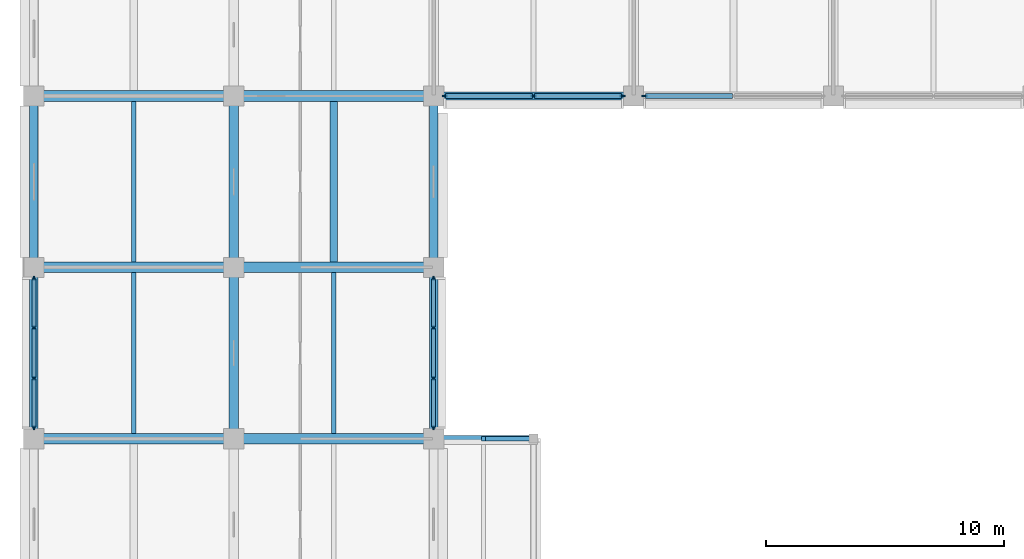
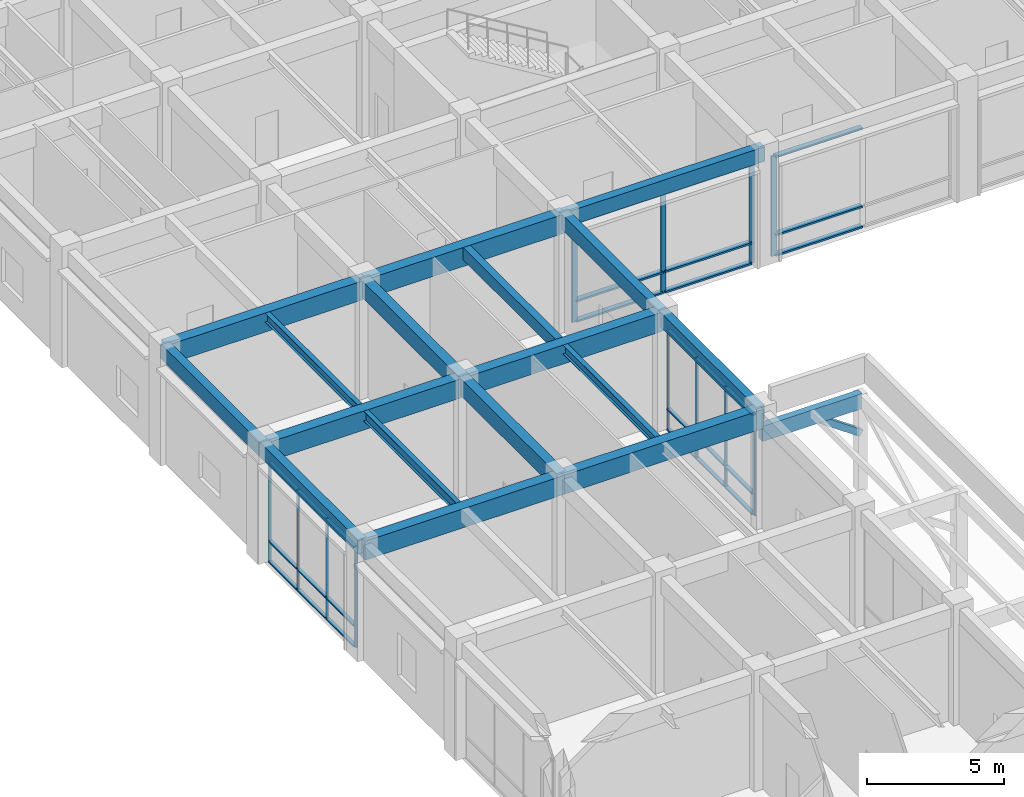
# One storey, part 9 of 68: 40 members, 18 beams, 4 elements without a shape of their own.
"""IFC4 building model written with IfcOpenShell, lengths in metres."""

from ifc_helpers import new_model, si_unit, direction, frame, origin, origin_2d, place, context, subcontext, project, spatial, rectangle, i_section, extrude, material, layer, layer_set, material_profile, profile_set, type_object, element, aggregate, save


model = new_model("IFC4")

# Units and contexts
model_context = context("Model", 3, precision=1e-05, world=origin(), true_north=direction((0.0, 1.0)))
body_context = subcontext(model_context, "Body", "Model", "MODEL_VIEW")
ifc_project = project(units=[si_unit("LENGTHUNIT", "METRE"), si_unit("AREAUNIT", "SQUARE_METRE"), si_unit("VOLUMEUNIT", "CUBIC_METRE"), si_unit("PLANEANGLEUNIT", "RADIAN"), si_unit("MASSUNIT", "GRAM", prefix="KILO")], contexts=[model_context])

# Site, building, storey
site_placement = place(None, origin())
site = spatial("IfcSite", under=ifc_project, at=site_placement, CompositionType="ELEMENT")
building_placement = place(site_placement, origin())
building = spatial("IfcBuilding", under=site, at=building_placement, Name="Chengyuan Square Courthouse", CompositionType="ELEMENT")
storey_placement = place(building_placement, frame((0.0, 0.0, 5.39990234375)))
storey = spatial("IfcBuildingStorey", under=building, at=storey_placement, Name="L02", CompositionType="ELEMENT", Elevation=5.39990234375)

# Beams
ifc_material_1 = material(Name="Concrete C40", Category="concrete")
ifc_material_profile_1 = material_profile(ifc_material_1, rectangle(XDim=0.449951171875, YDim=0.85009765625, at=origin_2d()), Name="RC-BM-450x850")
ifc_profile_set_1 = profile_set([ifc_material_profile_1], Name="Concrete C40")
beam_type_1 = type_object("IfcBeamType", Name="BM-01", PredefinedType="USERDEFINED", material=ifc_profile_set_1)
beam_1_placement = place(storey_placement, frame((0.0, 64.800048828125, 4.695068359375), z_axis=(1.0, 0.0, 0.0), x_axis=(0.0, 1.0, 0.0)))
element("IfcBeam", 1, at=beam_1_placement, inside=storey, type_object=beam_type_1, Name="Girder BM-L02-2107", ObjectType="GIRDER", PredefinedType="USERDEFINED", context=body_context, shape_type="SweptSolid", body=[
    extrude(rectangle(XDim=0.449951171875, YDim=0.85009765625, at=origin_2d()), origin(), (0.0, 0.0, 1.0), 8.39990234375),
])
beam_2_placement = place(storey_placement, frame((8.39990234375, 64.800048828125, 4.695068359375), z_axis=(1.0, 0.0, 0.0), x_axis=(0.0, 1.0, 0.0)))
element("IfcBeam", 2, at=beam_2_placement, inside=storey, type_object=beam_type_1, Name="Girder BM-L02-2108", ObjectType="GIRDER", PredefinedType="USERDEFINED", context=body_context, shape_type="SweptSolid", body=[
    extrude(rectangle(XDim=0.449951171875, YDim=0.85009765625, at=origin_2d()), origin(), (0.0, 0.0, 1.0), 8.400146484375),
])
beam_3_placement = place(storey_placement, frame((0.0, 72.0, 4.695068359375), z_axis=(1.0, 0.0, 0.0), x_axis=(0.0, 1.0, 0.0)))
element("IfcBeam", 3, at=beam_3_placement, inside=storey, type_object=beam_type_1, Name="Girder BM-L02-2115", ObjectType="GIRDER", PredefinedType="USERDEFINED", context=body_context, shape_type="SweptSolid", body=[
    extrude(rectangle(XDim=0.449951171875, YDim=0.85009765625, at=origin_2d()), origin(), (0.0, 0.0, 1.0), 8.39990234375),
])
beam_4_placement = place(storey_placement, frame((8.39990234375, 72.0, 4.695068359375), z_axis=(1.0, 0.0, 0.0), x_axis=(0.0, 1.0, 0.0)))
element("IfcBeam", 4, at=beam_4_placement, inside=storey, type_object=beam_type_1, Name="Girder BM-L02-2116", ObjectType="GIRDER", PredefinedType="USERDEFINED", context=body_context, shape_type="SweptSolid", body=[
    extrude(rectangle(XDim=0.449951171875, YDim=0.85009765625, at=origin_2d()), origin(), (0.0, 0.0, 1.0), 8.400146484375),
])
beam_5_placement = place(storey_placement, frame((0.0, 79.199951171875, 4.695068359375), z_axis=(1.0, 0.0, 0.0), x_axis=(0.0, 1.0, 0.0)))
element("IfcBeam", 5, at=beam_5_placement, inside=storey, type_object=beam_type_1, Name="Girder BM-L02-2119", ObjectType="GIRDER", PredefinedType="USERDEFINED", context=body_context, shape_type="SweptSolid", body=[
    extrude(rectangle(XDim=0.449951171875, YDim=0.85009765625, at=origin_2d()), origin(), (0.0, 0.0, 1.0), 8.39990234375),
])
beam_6_placement = place(storey_placement, frame((8.39990234375, 79.199951171875, 4.695068359375), z_axis=(1.0, 0.0, 0.0), x_axis=(0.0, 1.0, 0.0)))
element("IfcBeam", 6, at=beam_6_placement, inside=storey, type_object=beam_type_1, Name="Girder BM-L02-2120", ObjectType="GIRDER", PredefinedType="USERDEFINED", context=body_context, shape_type="SweptSolid", body=[
    extrude(rectangle(XDim=0.449951171875, YDim=0.85009765625, at=origin_2d()), origin(), (0.0, 0.0, 1.0), 8.400146484375),
])
ifc_material_profile_2 = material_profile(ifc_material_1, rectangle(XDim=0.39990234375, YDim=0.75, at=origin_2d()), Name="RC-BM-400x750")
ifc_profile_set_2 = profile_set([ifc_material_profile_2], Name="Concrete C40")
beam_type_2 = type_object("IfcBeamType", Name="BM-02", PredefinedType="USERDEFINED", material=ifc_profile_set_2)
for number, where, z_axis, x_axis, name in (
    (7, (8.39990234375, 64.800048828125, 4.7451171875), (0.0, 1.0, 0.0), (-1.0, 0.0, 0.0), "Girder BM-L02-2251"),
    (8, (8.39990234375, 72.0, 4.7451171875), (0.0, 1.0, 0.0), (-1.0, 0.0, 0.0), "Girder BM-L02-2252"),
):
    element("IfcBeam", number, at=place(storey_placement, frame(where, z_axis=z_axis, x_axis=x_axis)), inside=storey, type_object=beam_type_2, Name=name, ObjectType="GIRDER", PredefinedType="USERDEFINED", context=body_context, shape_type="SweptSolid", body=[
        extrude(rectangle(XDim=0.39990234375, YDim=0.75, at=origin_2d()), origin(), (0.0, 0.0, 1.0), 7.199951171875),
    ])
ifc_material_profile_3 = material_profile(ifc_material_1, rectangle(XDim=0.35009765625, YDim=0.64990234375, at=origin_2d()), Name="RC-BM-350x650")
ifc_profile_set_3 = profile_set([ifc_material_profile_3], Name="Concrete C40")
beam_type_3 = type_object("IfcBeamType", Name="BM-03", PredefinedType="SPANDREL", material=ifc_profile_set_3)
beam_7_placement = place(storey_placement, frame((16.800048828125, 79.199951171875, 4.795166015625), z_axis=(1.0, 0.0, 0.0), x_axis=(0.0, 1.0, 0.0)))
element("IfcBeam", 9, at=beam_7_placement, inside=storey, type_object=beam_type_3, Name="Girder BM-L02-2121", PredefinedType="SPANDREL", context=body_context, shape_type="SweptSolid", body=[
    extrude(rectangle(XDim=0.35009765625, YDim=0.64990234375, at=origin_2d()), origin(), (0.0, 0.0, 1.0), 8.39990234375),
])
for number, where, z_axis, x_axis, name in (
    (10, (0.0, 64.800048828125, 4.795166015625), (0.0, 1.0, 0.0), (-1.0, 0.0, 0.0), "Girder BM-L02-2236"),
    (11, (0.0, 72.0, 4.795166015625), (0.0, 1.0, 0.0), (-1.0, 0.0, 0.0), "Girder BM-L02-2237"),
    (12, (16.800048828125, 64.800048828125, 4.795166015625), (0.0, 1.0, 0.0), (-1.0, 0.0, 0.0), "Girder BM-L02-2266"),
    (13, (16.800048828125, 72.0, 4.795166015625), (0.0, 1.0, 0.0), (-1.0, 0.0, 0.0), "Girder BM-L02-2267"),
):
    element("IfcBeam", number, at=place(storey_placement, frame(where, z_axis=z_axis, x_axis=x_axis)), inside=storey, type_object=beam_type_3, Name=name, PredefinedType="SPANDREL", context=body_context, shape_type="SweptSolid", body=[
        extrude(rectangle(XDim=0.35009765625, YDim=0.64990234375, at=origin_2d()), origin(), (0.0, 0.0, 1.0), 7.199951171875),
    ])
ifc_material_profile_4 = material_profile(ifc_material_1, rectangle(XDim=0.300048828125, YDim=0.550048828125, at=origin_2d()), Name="RC-BM-300x550")
ifc_profile_set_4 = profile_set([ifc_material_profile_4], Name="Concrete C40")
beam_type_4 = type_object("IfcBeamType", Name="BM-04", PredefinedType="BEAM", material=ifc_profile_set_4)
beam_8_placement = place(storey_placement, frame((12.60009765625, 72.22509765625, 4.84521484375), z_axis=(0.0, 1.0, 0.0), x_axis=(-1.0, 0.0, 0.0)))
element("IfcBeam", 14, at=beam_8_placement, inside=storey, type_object=beam_type_4, Name="Secondary Floor Beam SBM-L02-2414", PredefinedType="BEAM", context=body_context, shape_type="SweptSolid", body=[
    extrude(rectangle(XDim=0.300048828125, YDim=0.550048828125, at=origin_2d()), origin(), (0.0, 0.0, 1.0), 6.75),
])
ifc_material_2 = material(Name="Steel Q355B", Category="steel")
ifc_material_profile_5 = material_profile(ifc_material_2, i_section(OverallWidth=0.199951171875, OverallDepth=0.449951171875, WebThickness=0.009033203125, FlangeThickness=0.013916015625, at=origin_2d()), Name="HN 450x200x9x14")
ifc_profile_set_5 = profile_set([ifc_material_profile_5], Name="Steel Q355B")
beam_type_5 = type_object("IfcBeamType", Name="BM-06", PredefinedType="BEAM", material=ifc_profile_set_5)
beam_9_placement = place(storey_placement, frame((4.199951171875, 65.02490234375, 4.89501953125), z_axis=(0.0, 1.0, 0.0), x_axis=(-1.0, 0.0, 0.0)))
element("IfcBeam", 15, at=beam_9_placement, inside=storey, type_object=beam_type_5, Name="Secondary Floor Beam SBM-L02-2399", PredefinedType="BEAM", context=body_context, shape_type="SweptSolid", body=[
    extrude(i_section(OverallWidth=0.199951171875, OverallDepth=0.449951171875, WebThickness=0.009033203125, FlangeThickness=0.013916015625, at=origin_2d()), origin(), (0.0, 0.0, 1.0), 6.75),
])
ifc_material_profile_6 = material_profile(ifc_material_2, i_section(OverallWidth=0.199951171875, OverallDepth=0.39990234375, WebThickness=0.008056640625, FlangeThickness=0.012939453125, at=origin_2d()), Name="HN 400x200x8x13")
ifc_profile_set_6 = profile_set([ifc_material_profile_6], Name="Steel Q355B")
beam_type_6 = type_object("IfcBeamType", Name="BM-07", PredefinedType="BEAM", material=ifc_profile_set_6)
for number, where, z_axis, x_axis, name in (
    (16, (4.199951171875, 72.22509765625, 4.920166015625), (0.0, 1.0, 0.0), (-1.0, 0.0, 0.0), "Secondary Floor Beam SBM-L02-2400"),
    (17, (12.60009765625, 65.02490234375, 4.920166015625), (0.0, 1.0, 0.0), (-1.0, 0.0, 0.0), "Secondary Floor Beam SBM-L02-2413"),
):
    element("IfcBeam", number, at=place(storey_placement, frame(where, z_axis=z_axis, x_axis=x_axis)), inside=storey, type_object=beam_type_6, Name=name, PredefinedType="BEAM", context=body_context, shape_type="SweptSolid", body=[
        extrude(i_section(OverallWidth=0.199951171875, OverallDepth=0.39990234375, WebThickness=0.008056640625, FlangeThickness=0.012939453125, at=origin_2d()), origin(), (0.0, 0.0, 1.0), 6.75),
    ])

# Curtain wall, members
ifc_material_3 = material(Name="Unitised Aluminium and Triple Low-E Glass", Category="aluminium")
ifc_layer_1 = layer(ifc_material_3, 0.159912109375)
ifc_layer_set_1 = layer_set([ifc_layer_1], Name="Unitised Aluminium and Triple Low-E Glass")
curtain_wall_type_1 = type_object("IfcCurtainWallType", Name="CW-17", PredefinedType="USERDEFINED", material=ifc_layer_set_1)
curtain_wall_1_placement = place(storey_placement, origin())
curtain_wall_1 = element("IfcCurtainWall", 18, at=curtain_wall_1_placement, inside=storey, type_object=curtain_wall_type_1, Name="Unitised Curtain Wall CW-L02-048", ObjectType="UNITISED CURTAIN WALL", PredefinedType="USERDEFINED")
ifc_material_4 = material(Name="Aluminium 6063-T6 Frame", Category="aluminium")
ifc_material_profile_7 = material_profile(ifc_material_4, rectangle(XDim=0.06005859375, YDim=0.159912109375, at=origin_2d()), Name="CW-MUL-60x160")
ifc_profile_set_7 = profile_set([ifc_material_profile_7], Name="Aluminium 6063-T6 Frame")
member_type_1 = type_object("IfcMemberType", Name="CWM-01", PredefinedType="MULLION", material=ifc_profile_set_7)
member_1_placement = place(storey_placement, frame((0.0, 65.2548828125, 0.0), z_axis=(0.0, 0.0, 1.0), x_axis=(-1.0, 0.0, 0.0)))
member_1 = element("IfcMember", 19, at=member_1_placement, type_object=member_type_1, Name="CW-17 mullion 1", PredefinedType="MULLION", context=body_context, shape_type="SweptSolid", body=[
    extrude(rectangle(XDim=0.06005859375, YDim=0.159912109375, at=origin_2d()), origin(), (0.0, 0.0, 1.0), 4.47021484375),
])
member_2_placement = place(storey_placement, frame((0.0, 67.341552734375, 0.0), z_axis=(0.0, 0.0, 1.0), x_axis=(-1.0, 0.0, 0.0)))
member_2 = element("IfcMember", 20, at=member_2_placement, type_object=member_type_1, Name="CW-17 mullion 2", PredefinedType="MULLION", context=body_context, shape_type="SweptSolid", body=[
    extrude(rectangle(XDim=0.06005859375, YDim=0.159912109375, at=origin_2d()), origin(), (0.0, 0.0, 1.0), 4.47021484375),
])
member_3_placement = place(storey_placement, frame((0.0, 69.458251953125, 0.0), z_axis=(0.0, 0.0, 1.0), x_axis=(-1.0, 0.0, 0.0)))
member_3 = element("IfcMember", 21, at=member_3_placement, type_object=member_type_1, Name="CW-17 mullion 3", PredefinedType="MULLION", context=body_context, shape_type="SweptSolid", body=[
    extrude(rectangle(XDim=0.06005859375, YDim=0.159912109375, at=origin_2d()), origin(), (0.0, 0.0, 1.0), 4.47021484375),
])
member_4_placement = place(storey_placement, frame((0.0, 71.544921875, 0.0), z_axis=(0.0, 0.0, 1.0), x_axis=(-1.0, 0.0, 0.0)))
member_4 = element("IfcMember", 22, at=member_4_placement, type_object=member_type_1, Name="CW-17 mullion 4", PredefinedType="MULLION", context=body_context, shape_type="SweptSolid", body=[
    extrude(rectangle(XDim=0.06005859375, YDim=0.159912109375, at=origin_2d()), origin(), (0.0, 0.0, 1.0), 4.47021484375),
])

curtain_wall_2_placement = place(storey_placement, origin())
curtain_wall_2 = element("IfcCurtainWall", 23, at=curtain_wall_2_placement, inside=storey, type_object=curtain_wall_type_1, Name="Unitised Curtain Wall CW-L02-053", ObjectType="UNITISED CURTAIN WALL", PredefinedType="USERDEFINED")
member_5_placement = place(storey_placement, frame((16.800048828125, 65.2548828125, 0.0), z_axis=(0.0, 0.0, 1.0), x_axis=(-1.0, 0.0, 0.0)))
member_5 = element("IfcMember", 24, at=member_5_placement, type_object=member_type_1, Name="CW-17 mullion 1", PredefinedType="MULLION", context=body_context, shape_type="SweptSolid", body=[
    extrude(rectangle(XDim=0.06005859375, YDim=0.159912109375, at=origin_2d()), origin(), (0.0, 0.0, 1.0), 4.47021484375),
])
member_6_placement = place(storey_placement, frame((16.800048828125, 67.341552734375, 0.0), z_axis=(0.0, 0.0, 1.0), x_axis=(-1.0, 0.0, 0.0)))
member_6 = element("IfcMember", 25, at=member_6_placement, type_object=member_type_1, Name="CW-17 mullion 2", PredefinedType="MULLION", context=body_context, shape_type="SweptSolid", body=[
    extrude(rectangle(XDim=0.06005859375, YDim=0.159912109375, at=origin_2d()), origin(), (0.0, 0.0, 1.0), 4.47021484375),
])
member_7_placement = place(storey_placement, frame((16.800048828125, 69.458251953125, 0.0), z_axis=(0.0, 0.0, 1.0), x_axis=(-1.0, 0.0, 0.0)))
member_7 = element("IfcMember", 26, at=member_7_placement, type_object=member_type_1, Name="CW-17 mullion 3", PredefinedType="MULLION", context=body_context, shape_type="SweptSolid", body=[
    extrude(rectangle(XDim=0.06005859375, YDim=0.159912109375, at=origin_2d()), origin(), (0.0, 0.0, 1.0), 4.47021484375),
])
member_8_placement = place(storey_placement, frame((16.800048828125, 71.544921875, 0.0), z_axis=(0.0, 0.0, 1.0), x_axis=(-1.0, 0.0, 0.0)))
member_8 = element("IfcMember", 27, at=member_8_placement, type_object=member_type_1, Name="CW-17 mullion 4", PredefinedType="MULLION", context=body_context, shape_type="SweptSolid", body=[
    extrude(rectangle(XDim=0.06005859375, YDim=0.159912109375, at=origin_2d()), origin(), (0.0, 0.0, 1.0), 4.47021484375),
])

ifc_layer_2 = layer(ifc_material_3, 0.219970703125)
ifc_layer_set_2 = layer_set([ifc_layer_2], Name="Unitised Aluminium and Triple Low-E Glass")
curtain_wall_type_2 = type_object("IfcCurtainWallType", Name="CW-04", PredefinedType="USERDEFINED", material=ifc_layer_set_2)
curtain_wall_3_placement = place(storey_placement, origin())
curtain_wall_3 = element("IfcCurtainWall", 28, at=curtain_wall_3_placement, inside=storey, type_object=curtain_wall_type_2, Name="Unitised Curtain Wall CW-L02-055", ObjectType="UNITISED CURTAIN WALL", PredefinedType="USERDEFINED")
ifc_material_profile_8 = material_profile(ifc_material_4, rectangle(XDim=0.080078125, YDim=0.219970703125, at=origin_2d()), Name="CW-MUL-80x220")
ifc_profile_set_8 = profile_set([ifc_material_profile_8], Name="Aluminium 6063-T6 Frame")
member_type_2 = type_object("IfcMemberType", Name="CWM-04", PredefinedType="MULLION", material=ifc_profile_set_8)
member_9_placement = place(storey_placement, frame((17.264892578125, 79.199951171875, 0.0), z_axis=(0.0, 0.0, 1.0), x_axis=(0.0, 1.0, 0.0)))
member_9 = element("IfcMember", 29, at=member_9_placement, type_object=member_type_2, Name="CW-04 mullion 1", PredefinedType="MULLION", context=body_context, shape_type="SweptSolid", body=[
    extrude(rectangle(XDim=0.080078125, YDim=0.219970703125, at=origin_2d()), origin(), (0.0, 0.0, 1.0), 4.47021484375),
])
member_10_placement = place(storey_placement, frame((21.0, 79.199951171875, 0.0), z_axis=(0.0, 0.0, 1.0), x_axis=(0.0, 1.0, 0.0)))
member_10 = element("IfcMember", 30, at=member_10_placement, type_object=member_type_2, Name="CW-04 mullion 2", PredefinedType="MULLION", context=body_context, shape_type="SweptSolid", body=[
    extrude(rectangle(XDim=0.080078125, YDim=0.219970703125, at=origin_2d()), origin(), (0.0, 0.0, 1.0), 4.47021484375),
])
member_11_placement = place(storey_placement, frame((24.735107421875, 79.199951171875, 0.0), z_axis=(0.0, 0.0, 1.0), x_axis=(0.0, 1.0, 0.0)))
member_11 = element("IfcMember", 31, at=member_11_placement, type_object=member_type_2, Name="CW-04 mullion 3", PredefinedType="MULLION", context=body_context, shape_type="SweptSolid", body=[
    extrude(rectangle(XDim=0.080078125, YDim=0.219970703125, at=origin_2d()), origin(), (0.0, 0.0, 1.0), 4.47021484375),
])

# Curtain wall, member
curtain_wall_4_placement = place(storey_placement, origin())
curtain_wall_4 = element("IfcCurtainWall", 32, at=curtain_wall_4_placement, inside=storey, type_object=curtain_wall_type_2, Name="Unitised Curtain Wall CW-L02-056", ObjectType="UNITISED CURTAIN WALL", PredefinedType="USERDEFINED")
member_12_placement = place(storey_placement, frame((25.6650390625, 79.199951171875, 0.0), z_axis=(0.0, 0.0, 1.0), x_axis=(0.0, 1.0, 0.0)))
member_12 = element("IfcMember", 33, at=member_12_placement, type_object=member_type_2, Name="CW-04 mullion 1", PredefinedType="MULLION", context=body_context, shape_type="SweptSolid", body=[
    extrude(rectangle(XDim=0.080078125, YDim=0.219970703125, at=origin_2d()), origin(), (0.0, 0.0, 1.0), 4.47021484375),
])

# Member
ifc_material_profile_9 = material_profile(ifc_material_4, rectangle(XDim=0.159912109375, YDim=0.06005859375, at=origin_2d()), Name="CW-TRN-60x120")
ifc_profile_set_9 = profile_set([ifc_material_profile_9], Name="Aluminium 6063-T6 Frame")
member_type_3 = type_object("IfcMemberType", Name="CWT-01", PredefinedType="USERDEFINED", material=ifc_profile_set_9)
member_13_placement = place(storey_placement, frame((0.0, 65.284912109375, 0.030029296875), z_axis=(0.0, 1.0, 0.0), x_axis=(-1.0, 0.0, 0.0)))
member_13 = element("IfcMember", 34, at=member_13_placement, type_object=member_type_3, Name="CW-17 transom 1.1", ObjectType="TRANSOM", PredefinedType="USERDEFINED", context=body_context, shape_type="SweptSolid", body=[
    extrude(rectangle(XDim=0.159912109375, YDim=0.06005859375, at=origin_2d()), origin(), (0.0, 0.0, 1.0), 2.02685546875),
])

member_14_placement = place(storey_placement, frame((0.0, 65.284912109375, 0.9501953125), z_axis=(0.0, 1.0, 0.0), x_axis=(-1.0, 0.0, 0.0)))
member_14 = element("IfcMember", 35, at=member_14_placement, type_object=member_type_3, Name="CW-17 transom 1.2", ObjectType="TRANSOM", PredefinedType="USERDEFINED", context=body_context, shape_type="SweptSolid", body=[
    extrude(rectangle(XDim=0.159912109375, YDim=0.06005859375, at=origin_2d()), origin(), (0.0, 0.0, 1.0), 2.02685546875),
])

member_15_placement = place(storey_placement, frame((0.0, 65.284912109375, 4.440185546875), z_axis=(0.0, 1.0, 0.0), x_axis=(-1.0, 0.0, 0.0)))
member_15 = element("IfcMember", 36, at=member_15_placement, type_object=member_type_3, Name="CW-17 transom 1.3", ObjectType="TRANSOM", PredefinedType="USERDEFINED", context=body_context, shape_type="SweptSolid", body=[
    extrude(rectangle(XDim=0.159912109375, YDim=0.06005859375, at=origin_2d()), origin(), (0.0, 0.0, 1.0), 2.02685546875),
])

member_16_placement = place(storey_placement, frame((0.0, 67.37158203125, 0.030029296875), z_axis=(0.0, 1.0, 0.0), x_axis=(-1.0, 0.0, 0.0)))
member_16 = element("IfcMember", 37, at=member_16_placement, type_object=member_type_3, Name="CW-17 transom 2.1", ObjectType="TRANSOM", PredefinedType="USERDEFINED", context=body_context, shape_type="SweptSolid", body=[
    extrude(rectangle(XDim=0.159912109375, YDim=0.06005859375, at=origin_2d()), origin(), (0.0, 0.0, 1.0), 2.056640625),
])

member_17_placement = place(storey_placement, frame((0.0, 67.37158203125, 0.9501953125), z_axis=(0.0, 1.0, 0.0), x_axis=(-1.0, 0.0, 0.0)))
member_17 = element("IfcMember", 38, at=member_17_placement, type_object=member_type_3, Name="CW-17 transom 2.2", ObjectType="TRANSOM", PredefinedType="USERDEFINED", context=body_context, shape_type="SweptSolid", body=[
    extrude(rectangle(XDim=0.159912109375, YDim=0.06005859375, at=origin_2d()), origin(), (0.0, 0.0, 1.0), 2.056640625),
])

member_18_placement = place(storey_placement, frame((0.0, 67.37158203125, 4.440185546875), z_axis=(0.0, 1.0, 0.0), x_axis=(-1.0, 0.0, 0.0)))
member_18 = element("IfcMember", 39, at=member_18_placement, type_object=member_type_3, Name="CW-17 transom 2.3", ObjectType="TRANSOM", PredefinedType="USERDEFINED", context=body_context, shape_type="SweptSolid", body=[
    extrude(rectangle(XDim=0.159912109375, YDim=0.06005859375, at=origin_2d()), origin(), (0.0, 0.0, 1.0), 2.056640625),
])

member_19_placement = place(storey_placement, frame((0.0, 69.48828125, 0.030029296875), z_axis=(0.0, 1.0, 0.0), x_axis=(-1.0, 0.0, 0.0)))
member_19 = element("IfcMember", 40, at=member_19_placement, type_object=member_type_3, Name="CW-17 transom 3.1", ObjectType="TRANSOM", PredefinedType="USERDEFINED", context=body_context, shape_type="SweptSolid", body=[
    extrude(rectangle(XDim=0.159912109375, YDim=0.06005859375, at=origin_2d()), origin(), (0.0, 0.0, 1.0), 2.026611328125),
])

member_20_placement = place(storey_placement, frame((0.0, 69.48828125, 0.9501953125), z_axis=(0.0, 1.0, 0.0), x_axis=(-1.0, 0.0, 0.0)))
member_20 = element("IfcMember", 41, at=member_20_placement, type_object=member_type_3, Name="CW-17 transom 3.2", ObjectType="TRANSOM", PredefinedType="USERDEFINED", context=body_context, shape_type="SweptSolid", body=[
    extrude(rectangle(XDim=0.159912109375, YDim=0.06005859375, at=origin_2d()), origin(), (0.0, 0.0, 1.0), 2.026611328125),
])

member_21_placement = place(storey_placement, frame((0.0, 69.48828125, 4.440185546875), z_axis=(0.0, 1.0, 0.0), x_axis=(-1.0, 0.0, 0.0)))
member_21 = element("IfcMember", 42, at=member_21_placement, type_object=member_type_3, Name="CW-17 transom 3.3", ObjectType="TRANSOM", PredefinedType="USERDEFINED", context=body_context, shape_type="SweptSolid", body=[
    extrude(rectangle(XDim=0.159912109375, YDim=0.06005859375, at=origin_2d()), origin(), (0.0, 0.0, 1.0), 2.026611328125),
])

aggregate(curtain_wall_1, [member_1, member_2, member_3, member_4, member_13, member_14, member_15, member_16, member_17, member_18, member_19, member_20, member_21])

member_22_placement = place(storey_placement, frame((16.800048828125, 65.284912109375, 0.030029296875), z_axis=(0.0, 1.0, 0.0), x_axis=(-1.0, 0.0, 0.0)))
member_22 = element("IfcMember", 43, at=member_22_placement, type_object=member_type_3, Name="CW-17 transom 1.1", ObjectType="TRANSOM", PredefinedType="USERDEFINED", context=body_context, shape_type="SweptSolid", body=[
    extrude(rectangle(XDim=0.159912109375, YDim=0.06005859375, at=origin_2d()), origin(), (0.0, 0.0, 1.0), 2.02685546875),
])

member_23_placement = place(storey_placement, frame((16.800048828125, 65.284912109375, 0.9501953125), z_axis=(0.0, 1.0, 0.0), x_axis=(-1.0, 0.0, 0.0)))
member_23 = element("IfcMember", 44, at=member_23_placement, type_object=member_type_3, Name="CW-17 transom 1.2", ObjectType="TRANSOM", PredefinedType="USERDEFINED", context=body_context, shape_type="SweptSolid", body=[
    extrude(rectangle(XDim=0.159912109375, YDim=0.06005859375, at=origin_2d()), origin(), (0.0, 0.0, 1.0), 2.02685546875),
])

member_24_placement = place(storey_placement, frame((16.800048828125, 65.284912109375, 4.440185546875), z_axis=(0.0, 1.0, 0.0), x_axis=(-1.0, 0.0, 0.0)))
member_24 = element("IfcMember", 45, at=member_24_placement, type_object=member_type_3, Name="CW-17 transom 1.3", ObjectType="TRANSOM", PredefinedType="USERDEFINED", context=body_context, shape_type="SweptSolid", body=[
    extrude(rectangle(XDim=0.159912109375, YDim=0.06005859375, at=origin_2d()), origin(), (0.0, 0.0, 1.0), 2.02685546875),
])

member_25_placement = place(storey_placement, frame((16.800048828125, 67.37158203125, 0.030029296875), z_axis=(0.0, 1.0, 0.0), x_axis=(-1.0, 0.0, 0.0)))
member_25 = element("IfcMember", 46, at=member_25_placement, type_object=member_type_3, Name="CW-17 transom 2.1", ObjectType="TRANSOM", PredefinedType="USERDEFINED", context=body_context, shape_type="SweptSolid", body=[
    extrude(rectangle(XDim=0.159912109375, YDim=0.06005859375, at=origin_2d()), origin(), (0.0, 0.0, 1.0), 2.056640625),
])

member_26_placement = place(storey_placement, frame((16.800048828125, 67.37158203125, 0.9501953125), z_axis=(0.0, 1.0, 0.0), x_axis=(-1.0, 0.0, 0.0)))
member_26 = element("IfcMember", 47, at=member_26_placement, type_object=member_type_3, Name="CW-17 transom 2.2", ObjectType="TRANSOM", PredefinedType="USERDEFINED", context=body_context, shape_type="SweptSolid", body=[
    extrude(rectangle(XDim=0.159912109375, YDim=0.06005859375, at=origin_2d()), origin(), (0.0, 0.0, 1.0), 2.056640625),
])

member_27_placement = place(storey_placement, frame((16.800048828125, 67.37158203125, 4.440185546875), z_axis=(0.0, 1.0, 0.0), x_axis=(-1.0, 0.0, 0.0)))
member_27 = element("IfcMember", 48, at=member_27_placement, type_object=member_type_3, Name="CW-17 transom 2.3", ObjectType="TRANSOM", PredefinedType="USERDEFINED", context=body_context, shape_type="SweptSolid", body=[
    extrude(rectangle(XDim=0.159912109375, YDim=0.06005859375, at=origin_2d()), origin(), (0.0, 0.0, 1.0), 2.056640625),
])

member_28_placement = place(storey_placement, frame((16.800048828125, 69.48828125, 0.030029296875), z_axis=(0.0, 1.0, 0.0), x_axis=(-1.0, 0.0, 0.0)))
member_28 = element("IfcMember", 49, at=member_28_placement, type_object=member_type_3, Name="CW-17 transom 3.1", ObjectType="TRANSOM", PredefinedType="USERDEFINED", context=body_context, shape_type="SweptSolid", body=[
    extrude(rectangle(XDim=0.159912109375, YDim=0.06005859375, at=origin_2d()), origin(), (0.0, 0.0, 1.0), 2.026611328125),
])

member_29_placement = place(storey_placement, frame((16.800048828125, 69.48828125, 0.9501953125), z_axis=(0.0, 1.0, 0.0), x_axis=(-1.0, 0.0, 0.0)))
member_29 = element("IfcMember", 50, at=member_29_placement, type_object=member_type_3, Name="CW-17 transom 3.2", ObjectType="TRANSOM", PredefinedType="USERDEFINED", context=body_context, shape_type="SweptSolid", body=[
    extrude(rectangle(XDim=0.159912109375, YDim=0.06005859375, at=origin_2d()), origin(), (0.0, 0.0, 1.0), 2.026611328125),
])

member_30_placement = place(storey_placement, frame((16.800048828125, 69.48828125, 4.440185546875), z_axis=(0.0, 1.0, 0.0), x_axis=(-1.0, 0.0, 0.0)))
member_30 = element("IfcMember", 51, at=member_30_placement, type_object=member_type_3, Name="CW-17 transom 3.3", ObjectType="TRANSOM", PredefinedType="USERDEFINED", context=body_context, shape_type="SweptSolid", body=[
    extrude(rectangle(XDim=0.159912109375, YDim=0.06005859375, at=origin_2d()), origin(), (0.0, 0.0, 1.0), 2.026611328125),
])

aggregate(curtain_wall_2, [member_5, member_6, member_7, member_8, member_22, member_23, member_24, member_25, member_26, member_27, member_28, member_29, member_30])

ifc_material_profile_10 = material_profile(ifc_material_4, rectangle(XDim=0.219970703125, YDim=0.080078125, at=origin_2d()), Name="CW-TRN-80x180")
ifc_profile_set_10 = profile_set([ifc_material_profile_10], Name="Aluminium 6063-T6 Frame")
member_type_4 = type_object("IfcMemberType", Name="CWT-04", PredefinedType="USERDEFINED", material=ifc_profile_set_10)
member_31_placement = place(storey_placement, frame((17.304931640625, 79.199951171875, 0.0400390625), z_axis=(1.0, 0.0, 0.0), x_axis=(0.0, 1.0, 0.0)))
member_31 = element("IfcMember", 52, at=member_31_placement, type_object=member_type_4, Name="CW-04 transom 1.1", ObjectType="TRANSOM", PredefinedType="USERDEFINED", context=body_context, shape_type="SweptSolid", body=[
    extrude(rectangle(XDim=0.219970703125, YDim=0.080078125, at=origin_2d()), origin(), (0.0, 0.0, 1.0), 3.655029296875),
])

member_32_placement = place(storey_placement, frame((17.304931640625, 79.199951171875, 0.9501953125), z_axis=(1.0, 0.0, 0.0), x_axis=(0.0, 1.0, 0.0)))
member_32 = element("IfcMember", 53, at=member_32_placement, type_object=member_type_4, Name="CW-04 transom 1.2", ObjectType="TRANSOM", PredefinedType="USERDEFINED", context=body_context, shape_type="SweptSolid", body=[
    extrude(rectangle(XDim=0.219970703125, YDim=0.080078125, at=origin_2d()), origin(), (0.0, 0.0, 1.0), 3.655029296875),
])

member_33_placement = place(storey_placement, frame((17.304931640625, 79.199951171875, 4.43017578125), z_axis=(1.0, 0.0, 0.0), x_axis=(0.0, 1.0, 0.0)))
member_33 = element("IfcMember", 54, at=member_33_placement, type_object=member_type_4, Name="CW-04 transom 1.3", ObjectType="TRANSOM", PredefinedType="USERDEFINED", context=body_context, shape_type="SweptSolid", body=[
    extrude(rectangle(XDim=0.219970703125, YDim=0.080078125, at=origin_2d()), origin(), (0.0, 0.0, 1.0), 3.655029296875),
])

member_34_placement = place(storey_placement, frame((21.0400390625, 79.199951171875, 0.0400390625), z_axis=(1.0, 0.0, 0.0), x_axis=(0.0, 1.0, 0.0)))
member_34 = element("IfcMember", 55, at=member_34_placement, type_object=member_type_4, Name="CW-04 transom 2.1", ObjectType="TRANSOM", PredefinedType="USERDEFINED", context=body_context, shape_type="SweptSolid", body=[
    extrude(rectangle(XDim=0.219970703125, YDim=0.080078125, at=origin_2d()), origin(), (0.0, 0.0, 1.0), 3.655029296875),
])

member_35_placement = place(storey_placement, frame((21.0400390625, 79.199951171875, 0.9501953125), z_axis=(1.0, 0.0, 0.0), x_axis=(0.0, 1.0, 0.0)))
member_35 = element("IfcMember", 56, at=member_35_placement, type_object=member_type_4, Name="CW-04 transom 2.2", ObjectType="TRANSOM", PredefinedType="USERDEFINED", context=body_context, shape_type="SweptSolid", body=[
    extrude(rectangle(XDim=0.219970703125, YDim=0.080078125, at=origin_2d()), origin(), (0.0, 0.0, 1.0), 3.655029296875),
])

member_36_placement = place(storey_placement, frame((21.0400390625, 79.199951171875, 4.43017578125), z_axis=(1.0, 0.0, 0.0), x_axis=(0.0, 1.0, 0.0)))
member_36 = element("IfcMember", 57, at=member_36_placement, type_object=member_type_4, Name="CW-04 transom 2.3", ObjectType="TRANSOM", PredefinedType="USERDEFINED", context=body_context, shape_type="SweptSolid", body=[
    extrude(rectangle(XDim=0.219970703125, YDim=0.080078125, at=origin_2d()), origin(), (0.0, 0.0, 1.0), 3.655029296875),
])

aggregate(curtain_wall_3, [member_9, member_10, member_11, member_31, member_32, member_33, member_34, member_35, member_36])

member_37_placement = place(storey_placement, frame((25.705078125, 79.199951171875, 0.0400390625), z_axis=(1.0, 0.0, 0.0), x_axis=(0.0, 1.0, 0.0)))
member_37 = element("IfcMember", 58, at=member_37_placement, type_object=member_type_4, Name="CW-04 transom 1.1", ObjectType="TRANSOM", PredefinedType="USERDEFINED", context=body_context, shape_type="SweptSolid", body=[
    extrude(rectangle(XDim=0.219970703125, YDim=0.080078125, at=origin_2d()), origin(), (0.0, 0.0, 1.0), 3.655029296875),
])

member_38_placement = place(storey_placement, frame((25.705078125, 79.199951171875, 0.9501953125), z_axis=(1.0, 0.0, 0.0), x_axis=(0.0, 1.0, 0.0)))
member_38 = element("IfcMember", 59, at=member_38_placement, type_object=member_type_4, Name="CW-04 transom 1.2", ObjectType="TRANSOM", PredefinedType="USERDEFINED", context=body_context, shape_type="SweptSolid", body=[
    extrude(rectangle(XDim=0.219970703125, YDim=0.080078125, at=origin_2d()), origin(), (0.0, 0.0, 1.0), 3.655029296875),
])

member_39_placement = place(storey_placement, frame((25.705078125, 79.199951171875, 4.43017578125), z_axis=(1.0, 0.0, 0.0), x_axis=(0.0, 1.0, 0.0)))
member_39 = element("IfcMember", 60, at=member_39_placement, type_object=member_type_4, Name="CW-04 transom 1.3", ObjectType="TRANSOM", PredefinedType="USERDEFINED", context=body_context, shape_type="SweptSolid", body=[
    extrude(rectangle(XDim=0.219970703125, YDim=0.080078125, at=origin_2d()), origin(), (0.0, 0.0, 1.0), 3.655029296875),
])

aggregate(curtain_wall_4, [member_12, member_37, member_38, member_39])

# Beam
ifc_material_5 = material(Name="Glulam TCt28", Category="wood")
ifc_material_profile_11 = material_profile(ifc_material_5, rectangle(XDim=0.280029296875, YDim=0.679931640625, at=origin_2d()), Name="GL-BM-280x680")
ifc_profile_set_11 = profile_set([ifc_material_profile_11], Name="Glulam TCt28")
beam_type_7 = type_object("IfcBeamType", Name="GLB-01", PredefinedType="BEAM", material=ifc_profile_set_11)
beam_10_placement = place(storey_placement, frame((16.800048828125, 64.800048828125, 3.960205078125), z_axis=(1.0, 0.0, 0.0), x_axis=(0.0, 1.0, 0.0)))
element("IfcBeam", 61, at=beam_10_placement, inside=storey, type_object=beam_type_7, Name="Glulam Colonnade Portal Beam GLB-L02-044", PredefinedType="BEAM", context=body_context, shape_type="SweptSolid", body=[
    extrude(rectangle(XDim=0.280029296875, YDim=0.679931640625, at=origin_2d()), origin(), (0.0, 0.0, 1.0), 4.199951171875),
])

# Member
ifc_material_profile_12 = material_profile(ifc_material_5, rectangle(XDim=0.199951171875, YDim=0.280029296875, at=origin_2d()), Name="GL-STR-200x280")
ifc_profile_set_12 = profile_set([ifc_material_profile_12], Name="Glulam TCt28")
member_type_5 = type_object("IfcMemberType", Name="STR-01", PredefinedType="STRUT", material=ifc_profile_set_12)
member_40_placement = place(storey_placement, frame((21.0, 64.800048828125, 2.5), z_axis=(-0.821039413556, 0.0, 0.570871510402), x_axis=(0.0, -1.0, 0.0)))
element("IfcMember", 62, at=member_40_placement, inside=storey, type_object=member_type_5, Name="Glulam Colonnade Knee Strut STR-L02-044", PredefinedType="STRUT", context=body_context, shape_type="SweptSolid", body=[
    extrude(rectangle(XDim=0.199951171875, YDim=0.280029296875, at=origin_2d()), origin(), (0.0, 0.0, 1.0), 2.557861328125),
])

save(model, "model.ifc")
